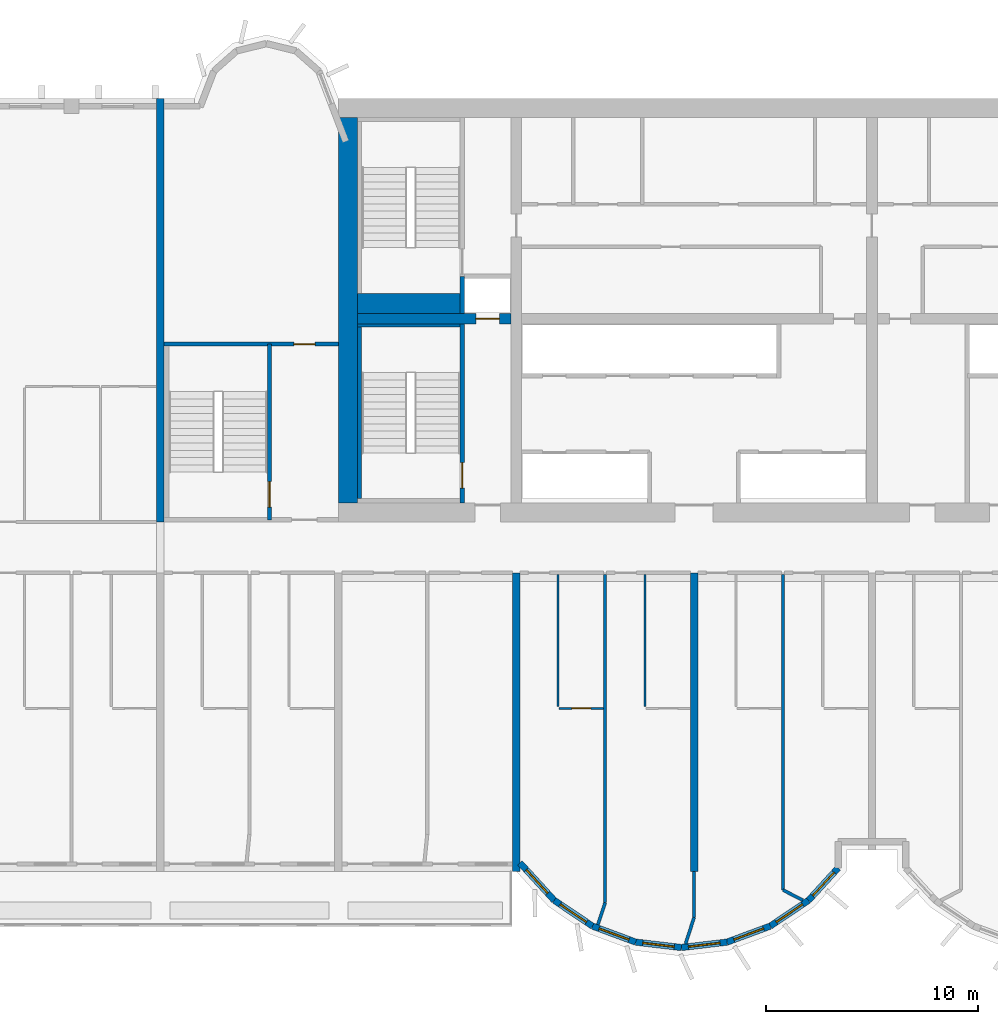
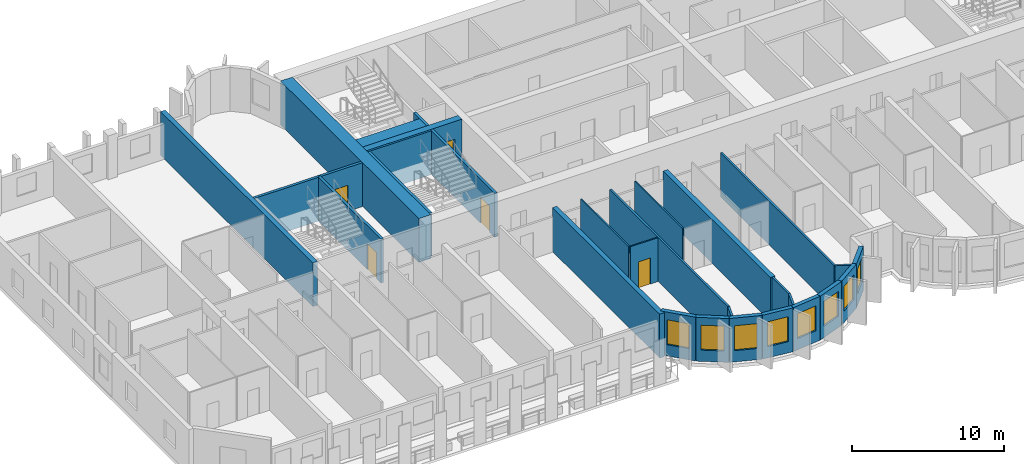
# One storey, part 4 of 14: 29 walls, 8 windows, 5 doors, 13 openings.
"""IFC4 building model written with IfcOpenShell, lengths in metres."""

from ifc_helpers import new_model, si_unit, direction, frame, frame_2d, origin, place, context, subcontext, project, spatial, rectangle, extrude, source, transform, mapped, material, layer, layer_set, type_object, element, fill, save


model = new_model("IFC4")

# Units and contexts
model_context = context("Model", 3, precision=1e-05, world=origin(), true_north=direction((0.0, 1.0)))
body_context = subcontext(model_context, "Body", "Model", "MODEL_VIEW")
ifc_project = project(units=[si_unit("LENGTHUNIT", "METRE"), si_unit("AREAUNIT", "SQUARE_METRE"), si_unit("VOLUMEUNIT", "CUBIC_METRE"), si_unit("PLANEANGLEUNIT", "RADIAN"), si_unit("MASSUNIT", "GRAM", prefix="KILO")], contexts=[model_context])

# Site, building, storey
site_placement = place(None, origin())
site = spatial("IfcSite", under=ifc_project, at=site_placement, CompositionType="ELEMENT")
building_placement = place(site_placement, origin())
building = spatial("IfcBuilding", under=site, at=building_placement, Name="Vanashikhar Sky Hotel", CompositionType="ELEMENT")
storey_placement = place(building_placement, frame((0.0, 0.0, 129.39990234375)))
storey = spatial("IfcBuildingStorey", under=building, at=storey_placement, Name="L31", CompositionType="ELEMENT", Elevation=129.39990234375)

# Wall
ifc_material_1 = material(Name="Concrete M70", Category="concrete")
ifc_layer_1 = layer(ifc_material_1, 0.89990234375)
ifc_layer_set_1 = layer_set([ifc_layer_1], Name="RC core shell wall 900 Concrete M70")
wall_type_1 = type_object("IfcWallType", Name="RC core shell wall 900 Concrete M70", PredefinedType="SHEAR", material=ifc_layer_set_1)
shared_shape_1 = source(origin(), body_context, "Body", "SweptSolid", [
    extrude(rectangle(XDim=18.2001953125, YDim=0.89990234375, at=frame_2d((9.10009765625, 0.0))), origin(), (0.0, 0.0, 1.0), 3.52001953125),
])
wall_1_placement = place(storey_placement, frame((25.64990234375, 22.89990234375, 0.0), z_axis=(0.0, 0.0, 1.0), x_axis=(0.0, 1.0, 0.0)))
element("IfcWall", 1, at=wall_1_placement, inside=storey, type_object=wall_type_1, Name="KW-L31-KW", PredefinedType="SHEAR", context=body_context, shape_type="MappedRepresentation", body=[
    mapped(shared_shape_1, transform((0.0, 0.0, 0.0), scale=1.0)),
])

# Wall, opening, door
ifc_layer_2 = layer(ifc_material_1, 0.5)
ifc_layer_set_2 = layer_set([ifc_layer_2], Name="RC core inner wall 500 Concrete M70")
wall_type_2 = type_object("IfcWallType", Name="RC core inner wall 500 Concrete M70", PredefinedType="SHEAR", material=ifc_layer_set_2)
shared_shape_2 = source(origin(), body_context, "Body", "SweptSolid", [
    extrude(rectangle(XDim=7.25, YDim=0.5, at=frame_2d((3.625, 0.0))), origin(), (0.0, 0.0, 1.0), 3.52001953125),
])
wall_2_placement = place(storey_placement, frame((26.10009765625, 31.60009765625, 0.0), z_axis=(0.0, 0.0, 1.0), x_axis=(1.0, 0.0, 0.0)))
wall_2 = element("IfcWall", 2, at=wall_2_placement, inside=storey, type_object=wall_type_2, Name="KW-L31-KY1", PredefinedType="SHEAR", context=body_context, shape_type="MappedRepresentation", body=[
    mapped(shared_shape_2, transform((0.0, 0.0, 0.0), scale=1.0)),
])
shared_shape_3 = source(origin(), body_context, "Body", "SweptSolid", [
    extrude(rectangle(XDim=1.10009765625, YDim=2.10009765625, at=frame_2d((0.550048828125, 1.050048828125))), frame((0.0, 0.260009765625, 0.0), z_axis=(0.0, -1.0, 0.0), x_axis=(1.0, 0.0, 0.0)), (0.0, 0.0, 1.0), 0.52001953125),
])
opening_1_placement = place(wall_2_placement, frame((5.60009765625, 0.0, 0.0)))
opening_1 = element("IfcOpeningElement", 3, at=opening_1_placement, cuts=wall_2, Name="Opening LD", PredefinedType="OPENING", context=body_context, shape_type="MappedRepresentation", body=[
    mapped(shared_shape_3, transform((0.0, 0.0, 0.0), scale=1.0)),
])
ifc_material_2 = material(Name="Stainless steel", Category="steel")
door_type_1 = type_object("IfcDoorType", Name="Lift landing door 1100", OperationType="NOTDEFINED", PredefinedType="DOOR", material=ifc_material_2)
shared_shape_4 = source(origin(), body_context, "Body", "SweptSolid", [
    extrude(rectangle(XDim=1.10009765625, YDim=2.10009765625, at=frame_2d((0.550048828125, 1.050048828125))), frame((0.0, 0.02490234375, 0.0), z_axis=(0.0, -1.0, 0.0), x_axis=(1.0, 0.0, 0.0)), (0.0, 0.0, 1.0), 0.050048828125),
])
door_1_placement = place(opening_1_placement, origin())
door_1 = element("IfcDoor", 4, at=door_1_placement, inside=storey, type_object=door_type_1, Name="Lift landing door 1100", OperationType="SLIDING_TO_LEFT", OverallHeight=2.10009765625, OverallWidth=1.10009765625, PredefinedType="DOOR", context=body_context, shape_type="MappedRepresentation", body=[
    mapped(shared_shape_4, transform((0.0, 0.0, 0.0), scale=1.0)),
])
fill(opening_1, door_1)

# Walls
ifc_layer_3 = layer(ifc_material_1, 0.35009765625)
ifc_layer_set_3 = layer_set([ifc_layer_3], Name="RC shear wall 350 Concrete M70")
wall_type_3 = type_object("IfcWallType", Name="RC shear wall 350 Concrete M70", PredefinedType="SHEAR", material=ifc_layer_set_3)
shared_shape_5 = source(origin(), body_context, "Body", "SweptSolid", [
    extrude(rectangle(XDim=14.10009765625, YDim=0.35009765625, at=frame_2d((7.050048828125, 0.0))), origin(), (0.0, 0.0, 1.0), 3.52001953125),
])
for number, where, z_axis, x_axis, name in (
    (5, (33.60009765625, 5.5, 0.0), (0.0, 0.0, 1.0), (0.0, 1.0, 0.0), "CW-L31-XW05-1"),
    (6, (42.0, 5.5, 0.0), (0.0, 0.0, 1.0), (0.0, 1.0, 0.0), "CW-L31-XW06-1"),
):
    element("IfcWall", number, at=place(storey_placement, frame(where, z_axis=z_axis, x_axis=x_axis)), inside=storey, type_object=wall_type_3, Name=name, PredefinedType="SHEAR", context=body_context, shape_type="MappedRepresentation", body=[
        mapped(shared_shape_5, transform((0.0, 0.0, 0.0), scale=1.0)),
    ])
shared_shape_6 = source(origin(), body_context, "Body", "SweptSolid", [
    extrude(rectangle(XDim=20.0, YDim=0.35009765625, at=frame_2d((10.0, 0.0))), origin(), (0.0, 0.0, 1.0), 3.52001953125),
])
wall_3_placement = place(storey_placement, frame((16.800048828125, 22.0, 0.0), z_axis=(0.0, 0.0, 1.0), x_axis=(0.0, 1.0, 0.0)))
element("IfcWall", 7, at=wall_3_placement, inside=storey, type_object=wall_type_3, Name="CW-L31-XW03-2", PredefinedType="SHEAR", context=body_context, shape_type="MappedRepresentation", body=[
    mapped(shared_shape_6, transform((0.0, 0.0, 0.0), scale=1.0)),
])

# Wall, opening, window
ifc_material_3 = material(Name="Concrete M50", Category="concrete")
ifc_layer_4 = layer(ifc_material_3, 0.300048828125)
ifc_layer_set_4 = layer_set([ifc_layer_4], Name="Lobe wall 300")
wall_type_4 = type_object("IfcWallType", Name="Lobe wall 300", PredefinedType="SOLIDWALL", material=ifc_layer_set_4)
shared_shape_7 = source(origin(), body_context, "Body", "SweptSolid", [
    extrude(rectangle(XDim=2.398193359375, YDim=0.300048828125, at=frame_2d((1.19921875, 0.0))), origin(), (0.0, 0.0, 1.0), 3.52001953125),
])
wall_4_placement = place(storey_placement, frame((33.776123046875, 5.89990234375, 0.0), z_axis=(0.0, 0.0, 1.0), x_axis=(0.675374189419, -0.737475222815, 0.0)))
wall_4 = element("IfcWall", 8, at=wall_4_placement, inside=storey, type_object=wall_type_4, Name="Lobe wall", PredefinedType="SOLIDWALL", context=body_context, shape_type="MappedRepresentation", body=[
    mapped(shared_shape_7, transform((0.0, 0.0, 0.0), scale=1.0)),
])
shared_shape_8 = source(origin(), body_context, "Body", "SweptSolid", [
    extrude(rectangle(XDim=1.5, YDim=2.0, at=frame_2d((0.75, 1.0))), frame((0.0, 0.16015625, 0.0), z_axis=(0.0, -1.0, 0.0), x_axis=(1.0, 0.0, 0.0)), (0.0, 0.0, 1.0), 0.320068359375),
])
opening_2_placement = place(wall_4_placement, frame((0.44921875, 0.0, 0.89990234375)))
opening_2 = element("IfcOpeningElement", 9, at=opening_2_placement, cuts=wall_4, Name="Opening WN-2", PredefinedType="OPENING", context=body_context, shape_type="MappedRepresentation", body=[
    mapped(shared_shape_8, transform((0.0, 0.0, 0.0), scale=1.0)),
])
ifc_material_4 = material(Name="Glass", Category="glass")
window_type = type_object("IfcWindowType", Name="Lobe window 1500 x 2000", PartitioningType="SINGLE_PANEL", PredefinedType="WINDOW", material=ifc_material_4)
shared_shape_9 = source(origin(), body_context, "Body", "SweptSolid", [
    extrude(rectangle(XDim=1.5, YDim=2.0, at=frame_2d((0.75, 1.0))), frame((0.0, 0.030029296875, 0.0), z_axis=(0.0, -1.0, 0.0), x_axis=(1.0, 0.0, 0.0)), (0.0, 0.0, 1.0), 0.06005859375),
])
window_1_placement = place(opening_2_placement, origin())
window_1 = element("IfcWindow", 10, at=window_1_placement, inside=storey, type_object=window_type, Name="Window WN-2", OverallHeight=2.0, OverallWidth=1.5, PartitioningType="SINGLE_PANEL", PredefinedType="WINDOW", context=body_context, shape_type="MappedRepresentation", body=[
    mapped(shared_shape_9, transform((0.0, 0.0, 0.0), scale=1.0)),
])
fill(opening_2, window_1)

shared_shape_10 = source(origin(), body_context, "Body", "SweptSolid", [
    extrude(rectangle(XDim=2.17578125, YDim=0.300048828125, at=frame_2d((1.087890625, 0.0))), origin(), (0.0, 0.0, 1.0), 3.52001953125),
])
wall_5_placement = place(storey_placement, frame((35.395751953125, 4.13134765625, 0.0), z_axis=(0.0, 0.0, 1.0), x_axis=(0.829590746428, -0.558371913192, 0.0)))
wall_5 = element("IfcWall", 11, at=wall_5_placement, inside=storey, type_object=wall_type_4, Name="Lobe wall", PredefinedType="SOLIDWALL", context=body_context, shape_type="MappedRepresentation", body=[
    mapped(shared_shape_10, transform((0.0, 0.0, 0.0), scale=1.0)),
])
opening_3_placement = place(wall_5_placement, frame((0.337890625, 0.0, 0.89990234375)))
opening_3 = element("IfcOpeningElement", 12, at=opening_3_placement, cuts=wall_5, Name="Opening WN-2", PredefinedType="OPENING", context=body_context, shape_type="MappedRepresentation", body=[
    mapped(shared_shape_8, transform((0.0, 0.0, 0.0), scale=1.0)),
])
window_2_placement = place(opening_3_placement, origin())
window_2 = element("IfcWindow", 13, at=window_2_placement, inside=storey, type_object=window_type, Name="Window WN-2", OverallHeight=2.0, OverallWidth=1.5, PartitioningType="SINGLE_PANEL", PredefinedType="WINDOW", context=body_context, shape_type="MappedRepresentation", body=[
    mapped(shared_shape_9, transform((0.0, 0.0, 0.0), scale=1.0)),
])
fill(opening_3, window_2)

wall_6_placement = place(storey_placement, frame((37.20068359375, 2.91650390625, 0.0), z_axis=(0.0, 0.0, 1.0), x_axis=(0.93754555999, -0.347862505801, 0.0)))
wall_6 = element("IfcWall", 14, at=wall_6_placement, inside=storey, type_object=wall_type_4, Name="Lobe wall", PredefinedType="SOLIDWALL", context=body_context, shape_type="MappedRepresentation", body=[
    mapped(shared_shape_10, transform((0.0, 0.0, 0.0), scale=1.0)),
])
opening_4_placement = place(wall_6_placement, frame((0.337890625, 0.0, 0.89990234375)))
opening_4 = element("IfcOpeningElement", 15, at=opening_4_placement, cuts=wall_6, Name="Opening WN-2", PredefinedType="OPENING", context=body_context, shape_type="MappedRepresentation", body=[
    mapped(shared_shape_8, transform((0.0, 0.0, 0.0), scale=1.0)),
])
window_3_placement = place(opening_4_placement, origin())
window_3 = element("IfcWindow", 16, at=window_3_placement, inside=storey, type_object=window_type, Name="Window WN-2", OverallHeight=2.0, OverallWidth=1.5, PartitioningType="SINGLE_PANEL", PredefinedType="WINDOW", context=body_context, shape_type="MappedRepresentation", body=[
    mapped(shared_shape_9, transform((0.0, 0.0, 0.0), scale=1.0)),
])
fill(opening_4, window_3)

wall_7_placement = place(storey_placement, frame((45.59912109375, 2.91650390625, 0.0), z_axis=(0.0, 0.0, 1.0), x_axis=(0.829625727223, 0.558319937607, 0.0)))
wall_7 = element("IfcWall", 17, at=wall_7_placement, inside=storey, type_object=wall_type_4, Name="Lobe wall", PredefinedType="SOLIDWALL", context=body_context, shape_type="MappedRepresentation", body=[
    mapped(shared_shape_10, transform((0.0, 0.0, 0.0), scale=1.0)),
])
opening_5_placement = place(wall_7_placement, frame((0.337890625, 0.0, 0.89990234375)))
opening_5 = element("IfcOpeningElement", 18, at=opening_5_placement, cuts=wall_7, Name="Opening WN-2", PredefinedType="OPENING", context=body_context, shape_type="MappedRepresentation", body=[
    mapped(shared_shape_8, transform((0.0, 0.0, 0.0), scale=1.0)),
])
window_4_placement = place(opening_5_placement, origin())
window_4 = element("IfcWindow", 19, at=window_4_placement, inside=storey, type_object=window_type, Name="Window WN-2", OverallHeight=2.0, OverallWidth=1.5, PartitioningType="SINGLE_PANEL", PredefinedType="WINDOW", context=body_context, shape_type="MappedRepresentation", body=[
    mapped(shared_shape_9, transform((0.0, 0.0, 0.0), scale=1.0)),
])
fill(opening_5, window_4)

shared_shape_11 = source(origin(), body_context, "Body", "SweptSolid", [
    extrude(rectangle(XDim=2.174560546875, YDim=0.300048828125, at=frame_2d((1.08740234375, 0.0))), origin(), (0.0, 0.0, 1.0), 3.52001953125),
])
wall_8_placement = place(storey_placement, frame((39.240478515625, 2.15966796875, 0.0), z_axis=(0.0, 0.0, 1.0), x_axis=(0.993001132889, -0.118104826659, 0.0)))
wall_8 = element("IfcWall", 20, at=wall_8_placement, inside=storey, type_object=wall_type_4, Name="Lobe wall", PredefinedType="SOLIDWALL", context=body_context, shape_type="MappedRepresentation", body=[
    mapped(shared_shape_11, transform((0.0, 0.0, 0.0), scale=1.0)),
])
opening_6_placement = place(wall_8_placement, frame((0.33740234375, 0.0, 0.89990234375)))
opening_6 = element("IfcOpeningElement", 21, at=opening_6_placement, cuts=wall_8, Name="Opening WN-2", PredefinedType="OPENING", context=body_context, shape_type="MappedRepresentation", body=[
    mapped(shared_shape_8, transform((0.0, 0.0, 0.0), scale=1.0)),
])
window_5_placement = place(opening_6_placement, origin())
window_5 = element("IfcWindow", 22, at=window_5_placement, inside=storey, type_object=window_type, Name="Window WN-2", OverallHeight=2.0, OverallWidth=1.5, PartitioningType="SINGLE_PANEL", PredefinedType="WINDOW", context=body_context, shape_type="MappedRepresentation", body=[
    mapped(shared_shape_9, transform((0.0, 0.0, 0.0), scale=1.0)),
])
fill(opening_6, window_5)

shared_shape_12 = source(origin(), body_context, "Body", "SweptSolid", [
    extrude(rectangle(XDim=2.1748046875, YDim=0.300048828125, at=frame_2d((1.08740234375, 0.0))), origin(), (0.0, 0.0, 1.0), 3.52001953125),
])
wall_9_placement = place(storey_placement, frame((41.39990234375, 1.90283203125, 0.0), z_axis=(0.0, 0.0, 1.0), x_axis=(0.993002698611, 0.118091661648, 0.0)))
wall_9 = element("IfcWall", 23, at=wall_9_placement, inside=storey, type_object=wall_type_4, Name="Lobe wall", PredefinedType="SOLIDWALL", context=body_context, shape_type="MappedRepresentation", body=[
    mapped(shared_shape_12, transform((0.0, 0.0, 0.0), scale=1.0)),
])
opening_7_placement = place(wall_9_placement, frame((0.33740234375, 0.0, 0.89990234375)))
opening_7 = element("IfcOpeningElement", 24, at=opening_7_placement, cuts=wall_9, Name="Opening WN-2", PredefinedType="OPENING", context=body_context, shape_type="MappedRepresentation", body=[
    mapped(shared_shape_8, transform((0.0, 0.0, 0.0), scale=1.0)),
])
window_6_placement = place(opening_7_placement, origin())
window_6 = element("IfcWindow", 25, at=window_6_placement, inside=storey, type_object=window_type, Name="Window WN-2", OverallHeight=2.0, OverallWidth=1.5, PartitioningType="SINGLE_PANEL", PredefinedType="WINDOW", context=body_context, shape_type="MappedRepresentation", body=[
    mapped(shared_shape_9, transform((0.0, 0.0, 0.0), scale=1.0)),
])
fill(opening_7, window_6)

shared_shape_13 = source(origin(), body_context, "Body", "SweptSolid", [
    extrude(rectangle(XDim=2.175537109375, YDim=0.300048828125, at=frame_2d((1.087890625, 0.0))), origin(), (0.0, 0.0, 1.0), 3.52001953125),
])
wall_10_placement = place(storey_placement, frame((43.5595703125, 2.15966796875, 0.0), z_axis=(0.0, 0.0, 1.0), x_axis=(0.937531979054, 0.347899106424, 0.0)))
wall_10 = element("IfcWall", 26, at=wall_10_placement, inside=storey, type_object=wall_type_4, Name="Lobe wall", PredefinedType="SOLIDWALL", context=body_context, shape_type="MappedRepresentation", body=[
    mapped(shared_shape_13, transform((0.0, 0.0, 0.0), scale=1.0)),
])
opening_8_placement = place(wall_10_placement, frame((0.337890625, 0.0, 0.89990234375)))
opening_8 = element("IfcOpeningElement", 27, at=opening_8_placement, cuts=wall_10, Name="Opening WN-2", PredefinedType="OPENING", context=body_context, shape_type="MappedRepresentation", body=[
    mapped(shared_shape_8, transform((0.0, 0.0, 0.0), scale=1.0)),
])
window_7_placement = place(opening_8_placement, origin())
window_7 = element("IfcWindow", 28, at=window_7_placement, inside=storey, type_object=window_type, Name="Window WN-2", OverallHeight=2.0, OverallWidth=1.5, PartitioningType="SINGLE_PANEL", PredefinedType="WINDOW", context=body_context, shape_type="MappedRepresentation", body=[
    mapped(shared_shape_9, transform((0.0, 0.0, 0.0), scale=1.0)),
])
fill(opening_8, window_7)

shared_shape_14 = source(origin(), body_context, "Body", "SweptSolid", [
    extrude(rectangle(XDim=2.066650390625, YDim=0.300048828125, at=frame_2d((1.033203125, 0.0))), origin(), (0.0, 0.0, 1.0), 3.52001953125),
])
wall_11_placement = place(storey_placement, frame((47.404296875, 4.13134765625, 0.0), z_axis=(0.0, 0.0, 1.0), x_axis=(0.675355439877, 0.737492393065, 0.0)))
wall_11 = element("IfcWall", 29, at=wall_11_placement, inside=storey, type_object=wall_type_4, Name="Lobe wall", PredefinedType="SOLIDWALL", context=body_context, shape_type="MappedRepresentation", body=[
    mapped(shared_shape_14, transform((0.0, 0.0, 0.0), scale=1.0)),
])
opening_9_placement = place(wall_11_placement, frame((0.283447265625, 0.0, 0.89990234375)))
opening_9 = element("IfcOpeningElement", 30, at=opening_9_placement, cuts=wall_11, Name="Opening WN-2", PredefinedType="OPENING", context=body_context, shape_type="MappedRepresentation", body=[
    mapped(shared_shape_8, transform((0.0, 0.0, 0.0), scale=1.0)),
])
window_8_placement = place(opening_9_placement, origin())
window_8 = element("IfcWindow", 31, at=window_8_placement, inside=storey, type_object=window_type, Name="Window WN-2", OverallHeight=2.0, OverallWidth=1.5, PartitioningType="SINGLE_PANEL", PredefinedType="WINDOW", context=body_context, shape_type="MappedRepresentation", body=[
    mapped(shared_shape_9, transform((0.0, 0.0, 0.0), scale=1.0)),
])
fill(opening_9, window_8)

# Wall, opening, door
ifc_layer_5 = layer(ifc_material_3, 0.199951171875)
ifc_layer_set_5 = layer_set([ifc_layer_5], Name="Stair wall 200")
wall_type_5 = type_object("IfcWallType", Name="Stair wall 200", PredefinedType="SOLIDWALL", material=ifc_layer_set_5)
shared_shape_15 = source(origin(), body_context, "Body", "SweptSolid", [
    extrude(rectangle(XDim=8.2998046875, YDim=0.199951171875, at=frame_2d((4.14990234375, 0.0))), origin(), (0.0, 0.0, 1.0), 3.52001953125),
])
wall_12_placement = place(storey_placement, frame((21.949951171875, 22.10009765625, 0.0), z_axis=(0.0, 0.0, 1.0), x_axis=(0.0, 1.0, 0.0)))
wall_12 = element("IfcWall", 32, at=wall_12_placement, inside=storey, type_object=wall_type_5, Name="Stair wall 200", PredefinedType="SOLIDWALL", context=body_context, shape_type="MappedRepresentation", body=[
    mapped(shared_shape_15, transform((0.0, 0.0, 0.0), scale=1.0)),
])
shared_shape_16 = source(origin(), body_context, "Body", "SweptSolid", [
    extrude(rectangle(XDim=1.199951171875, YDim=2.10009765625, at=frame_2d((0.60009765625, 1.050048828125))), frame((0.0, 0.10986328125, 0.0), z_axis=(0.0, -1.0, 0.0), x_axis=(1.0, 0.0, 0.0)), (0.0, 0.0, 1.0), 0.219970703125),
])
opening_10_placement = place(wall_12_placement, frame((0.60009765625, 0.0, 0.0)))
opening_10 = element("IfcOpeningElement", 33, at=opening_10_placement, cuts=wall_12, Name="Opening DC-1", PredefinedType="OPENING", context=body_context, shape_type="MappedRepresentation", body=[
    mapped(shared_shape_16, transform((0.0, 0.0, 0.0), scale=1.0)),
])
ifc_material_5 = material(Name="Steel", Category="steel")
door_type_2 = type_object("IfcDoorType", Name="Stair door 1200 FD120", OperationType="NOTDEFINED", PredefinedType="DOOR", material=ifc_material_5)
shared_shape_17 = source(origin(), body_context, "Body", "SweptSolid", [
    extrude(rectangle(XDim=1.199951171875, YDim=2.10009765625, at=frame_2d((0.60009765625, 1.050048828125))), frame((0.0, 0.02490234375, 0.0), z_axis=(0.0, -1.0, 0.0), x_axis=(1.0, 0.0, 0.0)), (0.0, 0.0, 1.0), 0.050048828125),
])
door_2_placement = place(opening_10_placement, origin())
door_2 = element("IfcDoor", 34, at=door_2_placement, inside=storey, type_object=door_type_2, Name="Stair door 1200 FD120", OperationType="SINGLE_SWING_LEFT", OverallHeight=2.10009765625, OverallWidth=1.199951171875, PredefinedType="DOOR", context=body_context, shape_type="MappedRepresentation", body=[
    mapped(shared_shape_17, transform((0.0, 0.0, 0.0), scale=1.0)),
])
fill(opening_10, door_2)

shared_shape_18 = source(origin(), body_context, "Body", "SweptSolid", [
    extrude(rectangle(XDim=8.4501953125, YDim=0.199951171875, at=frame_2d((4.22509765625, 0.0))), origin(), (0.0, 0.0, 1.0), 3.52001953125),
])
wall_13_placement = place(storey_placement, frame((31.050048828125, 22.89990234375, 0.0), z_axis=(0.0, 0.0, 1.0), x_axis=(0.0, 1.0, 0.0)))
wall_13 = element("IfcWall", 35, at=wall_13_placement, inside=storey, type_object=wall_type_5, Name="Stair wall 200", PredefinedType="SOLIDWALL", context=body_context, shape_type="MappedRepresentation", body=[
    mapped(shared_shape_18, transform((0.0, 0.0, 0.0), scale=1.0)),
])
opening_11_placement = place(wall_13_placement, frame((0.699951171875, 0.0, 0.0)))
opening_11 = element("IfcOpeningElement", 36, at=opening_11_placement, cuts=wall_13, Name="Opening DC-1", PredefinedType="OPENING", context=body_context, shape_type="MappedRepresentation", body=[
    mapped(shared_shape_16, transform((0.0, 0.0, 0.0), scale=1.0)),
])
door_3_placement = place(opening_11_placement, origin())
door_3 = element("IfcDoor", 37, at=door_3_placement, inside=storey, type_object=door_type_2, Name="Stair door 1200 FD120", OperationType="SINGLE_SWING_LEFT", OverallHeight=2.10009765625, OverallWidth=1.199951171875, PredefinedType="DOOR", context=body_context, shape_type="MappedRepresentation", body=[
    mapped(shared_shape_17, transform((0.0, 0.0, 0.0), scale=1.0)),
])
fill(opening_11, door_3)

# Wall
ifc_material_6 = material(Name="Concrete M40", Category="concrete")
ifc_layer_6 = layer(ifc_material_6, 0.199951171875)
ifc_layer_set_6 = layer_set([ifc_layer_6], Name="Shaft wall 200")
wall_type_6 = type_object("IfcWallType", Name="Shaft wall 200", PredefinedType="SOLIDWALL", material=ifc_layer_set_6)
shared_shape_19 = source(origin(), body_context, "Body", "SweptSolid", [
    extrude(rectangle(XDim=1.75, YDim=0.199951171875, at=frame_2d((0.875, 0.0))), origin(), (0.0, 0.0, 1.0), 3.52001953125),
])
wall_14_placement = place(storey_placement, frame((31.050048828125, 31.85009765625, 0.0), z_axis=(0.0, 0.0, 1.0), x_axis=(0.0, 1.0, 0.0)))
element("IfcWall", 38, at=wall_14_placement, inside=storey, type_object=wall_type_6, Name="Shaft wall 200", PredefinedType="SOLIDWALL", context=body_context, shape_type="MappedRepresentation", body=[
    mapped(shared_shape_19, transform((0.0, 0.0, 0.0), scale=1.0)),
])

# Wall, opening, door
shared_shape_20 = source(origin(), body_context, "Body", "SweptSolid", [
    extrude(rectangle(XDim=8.224853515625, YDim=0.199951171875, at=frame_2d((4.1123046875, 0.0))), origin(), (0.0, 0.0, 1.0), 3.52001953125),
])
wall_15_placement = place(storey_placement, frame((16.97509765625, 30.39990234375, 0.0), z_axis=(0.0, 0.0, 1.0), x_axis=(1.0, 0.0, 0.0)))
wall_15 = element("IfcWall", 39, at=wall_15_placement, inside=storey, type_object=wall_type_5, Name="Stair wall 200", PredefinedType="SOLIDWALL", context=body_context, shape_type="MappedRepresentation", body=[
    mapped(shared_shape_20, transform((0.0, 0.0, 0.0), scale=1.0)),
])
shared_shape_21 = source(origin(), body_context, "Body", "SweptSolid", [
    extrude(rectangle(XDim=1.0, YDim=2.10009765625, at=frame_2d((0.5, 1.050048828125))), frame((0.0, 0.10986328125, 0.0), z_axis=(0.0, -1.0, 0.0), x_axis=(1.0, 0.0, 0.0)), (0.0, 0.0, 1.0), 0.219970703125),
])
opening_12_placement = place(wall_15_placement, frame((6.125, 0.0, 0.0)))
opening_12 = element("IfcOpeningElement", 40, at=opening_12_placement, cuts=wall_15, Name="Opening DC-6", PredefinedType="OPENING", context=body_context, shape_type="MappedRepresentation", body=[
    mapped(shared_shape_21, transform((0.0, 0.0, 0.0), scale=1.0)),
])
door_type_3 = type_object("IfcDoorType", Name="Pocket door 1000 FD60", OperationType="NOTDEFINED", PredefinedType="DOOR", material=ifc_material_5)
shared_shape_22 = source(origin(), body_context, "Body", "SweptSolid", [
    extrude(rectangle(XDim=1.0, YDim=2.10009765625, at=frame_2d((0.5, 1.050048828125))), frame((0.0, 0.02490234375, 0.0), z_axis=(0.0, -1.0, 0.0), x_axis=(1.0, 0.0, 0.0)), (0.0, 0.0, 1.0), 0.050048828125),
])
door_4_placement = place(opening_12_placement, origin())
door_4 = element("IfcDoor", 41, at=door_4_placement, inside=storey, type_object=door_type_3, Name="Pocket door 1000 FD60", OperationType="SINGLE_SWING_RIGHT", OverallHeight=2.10009765625, OverallWidth=1.0, PredefinedType="DOOR", context=body_context, shape_type="MappedRepresentation", body=[
    mapped(shared_shape_22, transform((0.0, 0.0, 0.0), scale=1.0)),
])
fill(opening_12, door_4)

# Walls
ifc_layer_7 = layer(ifc_material_3, 0.14990234375)
ifc_layer_set_7 = layer_set([ifc_layer_7], Name="Stair infill wall 150")
wall_type_7 = type_object("IfcWallType", Name="Stair infill wall 150", PredefinedType="SOLIDWALL", material=ifc_layer_set_7)
shared_shape_23 = source(origin(), body_context, "Body", "SweptSolid", [
    extrude(rectangle(XDim=4.849853515625, YDim=0.14990234375, at=frame_2d((2.4248046875, 0.0))), origin(), (0.0, 0.0, 1.0), 3.52001953125),
])
wall_16_placement = place(storey_placement, frame((26.10009765625, 31.27490234375, 0.0), z_axis=(0.0, 0.0, 1.0), x_axis=(1.0, 0.0, 0.0)))
element("IfcWall", 42, at=wall_16_placement, inside=storey, type_object=wall_type_7, Name="Stair infill wall 150", PredefinedType="SOLIDWALL", context=body_context, shape_type="MappedRepresentation", body=[
    mapped(shared_shape_23, transform((0.0, 0.0, 0.0), scale=1.0)),
])
ifc_layer_8 = layer(ifc_material_3, 0.199951171875)
ifc_layer_set_8 = layer_set([ifc_layer_8], Name="Stair infill wall 200")
wall_type_8 = type_object("IfcWallType", Name="Stair infill wall 200", PredefinedType="SOLIDWALL", material=ifc_layer_set_8)
shared_shape_24 = source(origin(), body_context, "Body", "SweptSolid", [
    extrude(rectangle(XDim=8.099853515625, YDim=0.199951171875, at=frame_2d((4.0498046875, 0.0))), origin(), (0.0, 0.0, 1.0), 3.52001953125),
])
wall_17_placement = place(storey_placement, frame((26.199951171875, 23.10009765625, 0.0), z_axis=(0.0, 0.0, 1.0), x_axis=(0.0, 1.0, 0.0)))
element("IfcWall", 43, at=wall_17_placement, inside=storey, type_object=wall_type_8, Name="Stair infill wall 200", PredefinedType="SOLIDWALL", context=body_context, shape_type="MappedRepresentation", body=[
    mapped(shared_shape_24, transform((0.0, 0.0, 0.0), scale=1.0)),
])
ifc_layer_9 = layer(ifc_material_3, 0.949951171875)
ifc_layer_set_9 = layer_set([ifc_layer_9], Name="Stair infill wall 950")
wall_type_9 = type_object("IfcWallType", Name="Stair infill wall 950", PredefinedType="SOLIDWALL", material=ifc_layer_set_9)
shared_shape_25 = source(origin(), body_context, "Body", "SweptSolid", [
    extrude(rectangle(XDim=4.849853515625, YDim=0.949951171875, at=frame_2d((2.4248046875, 0.0))), origin(), (0.0, 0.0, 1.0), 3.52001953125),
])
wall_18_placement = place(storey_placement, frame((26.10009765625, 32.324951171875, 0.0), z_axis=(0.0, 0.0, 1.0), x_axis=(1.0, 0.0, 0.0)))
element("IfcWall", 44, at=wall_18_placement, inside=storey, type_object=wall_type_9, Name="Stair infill wall 950", PredefinedType="SOLIDWALL", context=body_context, shape_type="MappedRepresentation", body=[
    mapped(shared_shape_25, transform((0.0, 0.0, 0.0), scale=1.0)),
])
ifc_material_7 = material(Name="Gypsum plasterboard partition")
ifc_layer_10 = layer(ifc_material_7, 0.14990234375)
ifc_layer_set_10 = layer_set([ifc_layer_10], Name="Corridor and demising partition 150")
wall_type_10 = type_object("IfcWallType", Name="Corridor and demising partition 150", PredefinedType="PARTITIONING", material=ifc_layer_set_10)
shared_shape_26 = source(origin(), body_context, "Body", "SweptSolid", [
    extrude(rectangle(XDim=2.177978515625, YDim=0.14990234375, at=frame_2d((1.0888671875, 0.0))), origin(), (0.0, 0.0, 1.0), 3.52001953125),
])
wall_19_placement = place(storey_placement, frame((42.0, 3.322021484375, 0.0), z_axis=(0.0, 0.0, 1.0), x_axis=(0.0, 1.0, 0.0)))
element("IfcWall", 45, at=wall_19_placement, inside=storey, type_object=wall_type_10, Name="W-L31-PW069", PredefinedType="PARTITIONING", context=body_context, shape_type="MappedRepresentation", body=[
    mapped(shared_shape_26, transform((0.0, 0.0, 0.0), scale=1.0)),
])
shared_shape_27 = source(origin(), body_context, "Body", "SweptSolid", [
    extrude(rectangle(XDim=1.100830078125, YDim=0.14990234375, at=frame_2d((0.55029296875, 0.0))), origin(), (0.0, 0.0, 1.0), 3.52001953125),
])
wall_20_placement = place(storey_placement, frame((37.45703125, 2.98095703125, 0.0), z_axis=(0.0, 0.0, 1.0), x_axis=(0.311567081539, 0.950224159712, 0.0)))
element("IfcWall", 46, at=wall_20_placement, inside=storey, type_object=wall_type_10, Name="W-L31-PW029B0", PredefinedType="PARTITIONING", context=body_context, shape_type="MappedRepresentation", body=[
    mapped(shared_shape_27, transform((0.0, 0.0, 0.0), scale=1.0)),
])
shared_shape_28 = source(origin(), body_context, "Body", "SweptSolid", [
    extrude(rectangle(XDim=1.0576171875, YDim=0.14990234375, at=frame_2d((0.52880859375, 0.0))), origin(), (0.0, 0.0, 1.0), 3.52001953125),
])
wall_21_placement = place(storey_placement, frame((47.139892578125, 4.134033203125, 0.0), z_axis=(0.0, 0.0, 1.0), x_axis=(-0.888723819054, 0.458442988218, 0.0)))
element("IfcWall", 47, at=wall_21_placement, inside=storey, type_object=wall_type_10, Name="W-L31-PW036B0", PredefinedType="PARTITIONING", context=body_context, shape_type="MappedRepresentation", body=[
    mapped(shared_shape_28, transform((0.0, 0.0, 0.0), scale=1.0)),
])
shared_shape_29 = source(origin(), body_context, "Body", "SweptSolid", [
    extrude(rectangle(XDim=1.308349609375, YDim=0.14990234375, at=frame_2d((0.654296875, 0.0))), origin(), (0.0, 0.0, 1.0), 3.52001953125),
])
wall_22_placement = place(storey_placement, frame((41.597900390625, 2.076904296875, 0.0), z_axis=(0.0, 0.0, 1.0), x_axis=(0.307313512187, 0.951608325535, 0.0)))
element("IfcWall", 48, at=wall_22_placement, inside=storey, type_object=wall_type_10, Name="W-L31-PW069B0", PredefinedType="PARTITIONING", context=body_context, shape_type="MappedRepresentation", body=[
    mapped(shared_shape_29, transform((0.0, 0.0, 0.0), scale=1.0)),
])
ifc_layer_11 = layer(ifc_material_7, 0.10009765625)
ifc_layer_set_11 = layer_set([ifc_layer_11], Name="Wet room partition 100")
wall_type_11 = type_object("IfcWallType", Name="Wet room partition 100", PredefinedType="PARTITIONING", material=ifc_layer_set_11)
shared_shape_30 = source(origin(), body_context, "Body", "SweptSolid", [
    extrude(rectangle(XDim=6.25, YDim=0.10009765625, at=frame_2d((3.125, 0.0))), origin(), (0.0, 0.0, 1.0), 3.52001953125),
])
for number, where, z_axis, x_axis, name in (
    (49, (35.574951171875, 13.27490234375, 0.0), (0.0, 0.0, 1.0), (0.0, 1.0, 0.0), "W-L31-PW023"),
    (50, (39.675048828125, 13.27490234375, 0.0), (0.0, 0.0, 1.0), (0.0, 1.0, 0.0), "W-L31-PW026"),
):
    element("IfcWall", number, at=place(storey_placement, frame(where, z_axis=z_axis, x_axis=x_axis)), inside=storey, type_object=wall_type_11, Name=name, PredefinedType="PARTITIONING", context=body_context, shape_type="MappedRepresentation", body=[
        mapped(shared_shape_30, transform((0.0, 0.0, 0.0), scale=1.0)),
    ])

# Wall, opening, door
shared_shape_31 = source(origin(), body_context, "Body", "SweptSolid", [
    extrude(rectangle(XDim=2.10009765625, YDim=0.10009765625, at=frame_2d((1.050048828125, 0.0))), origin(), (0.0, 0.0, 1.0), 3.52001953125),
])
wall_23_placement = place(storey_placement, frame((35.625, 13.199951171875, 0.0), z_axis=(0.0, 0.0, 1.0), x_axis=(1.0, 0.0, 0.0)))
wall_23 = element("IfcWall", 51, at=wall_23_placement, inside=storey, type_object=wall_type_11, Name="W-L31-PW024", PredefinedType="PARTITIONING", context=body_context, shape_type="MappedRepresentation", body=[
    mapped(shared_shape_31, transform((0.0, 0.0, 0.0), scale=1.0)),
])
shared_shape_32 = source(origin(), body_context, "Body", "SweptSolid", [
    extrude(rectangle(XDim=0.89990234375, YDim=2.10009765625, at=frame_2d((0.449951171875, 1.050048828125))), frame((0.0, 0.06005859375, 0.0), z_axis=(0.0, -1.0, 0.0), x_axis=(1.0, 0.0, 0.0)), (0.0, 0.0, 1.0), 0.1201171875),
])
opening_13_placement = place(wall_23_placement, frame((0.60009765625, 0.0, 0.0)))
opening_13 = element("IfcOpeningElement", 52, at=opening_13_placement, cuts=wall_23, Name="Opening D-02", PredefinedType="OPENING", context=body_context, shape_type="MappedRepresentation", body=[
    mapped(shared_shape_32, transform((0.0, 0.0, 0.0), scale=1.0)),
])
ifc_material_8 = material(Name="Timber door", Category="wood")
door_type_4 = type_object("IfcDoorType", Name="Internal door 900", OperationType="NOTDEFINED", PredefinedType="DOOR", material=ifc_material_8)
shared_shape_33 = source(origin(), body_context, "Body", "SweptSolid", [
    extrude(rectangle(XDim=0.89990234375, YDim=2.10009765625, at=frame_2d((0.449951171875, 1.050048828125))), frame((0.0, 0.02490234375, 0.0), z_axis=(0.0, -1.0, 0.0), x_axis=(1.0, 0.0, 0.0)), (0.0, 0.0, 1.0), 0.050048828125),
])
door_5_placement = place(opening_13_placement, origin())
door_5 = element("IfcDoor", 53, at=door_5_placement, inside=storey, type_object=door_type_4, Name="D-L31-014", OperationType="SINGLE_SWING_LEFT", OverallHeight=2.10009765625, OverallWidth=0.89990234375, PredefinedType="DOOR", context=body_context, shape_type="MappedRepresentation", body=[
    mapped(shared_shape_33, transform((0.0, 0.0, 0.0), scale=1.0)),
])
fill(opening_13, door_5)

# Walls
shared_shape_34 = source(origin(), body_context, "Body", "SweptSolid", [
    extrude(rectangle(XDim=15.497802734375, YDim=0.14990234375, at=frame_2d((7.7490234375, 0.0))), origin(), (0.0, 0.0, 1.0), 3.52001953125),
])
wall_24_placement = place(storey_placement, frame((37.800048828125, 4.027099609375, 0.0), z_axis=(0.0, 0.0, 1.0), x_axis=(0.0, 1.0, 0.0)))
element("IfcWall", 54, at=wall_24_placement, inside=storey, type_object=wall_type_10, Name="W-L31-PW029", PredefinedType="PARTITIONING", context=body_context, shape_type="MappedRepresentation", body=[
    mapped(shared_shape_34, transform((0.0, 0.0, 0.0), scale=1.0)),
])
shared_shape_35 = source(origin(), body_context, "Body", "SweptSolid", [
    extrude(rectangle(XDim=14.906005859375, YDim=0.14990234375, at=frame_2d((7.453125, 0.0))), origin(), (0.0, 0.0, 1.0), 3.52001953125),
])
wall_25_placement = place(storey_placement, frame((46.199951171875, 4.618896484375, 0.0), z_axis=(0.0, 0.0, 1.0), x_axis=(0.0, 1.0, 0.0)))
element("IfcWall", 55, at=wall_25_placement, inside=storey, type_object=wall_type_10, Name="W-L31-PW036", PredefinedType="PARTITIONING", context=body_context, shape_type="MappedRepresentation", body=[
    mapped(shared_shape_35, transform((0.0, 0.0, 0.0), scale=1.0)),
])

save(model, "model.ifc")
